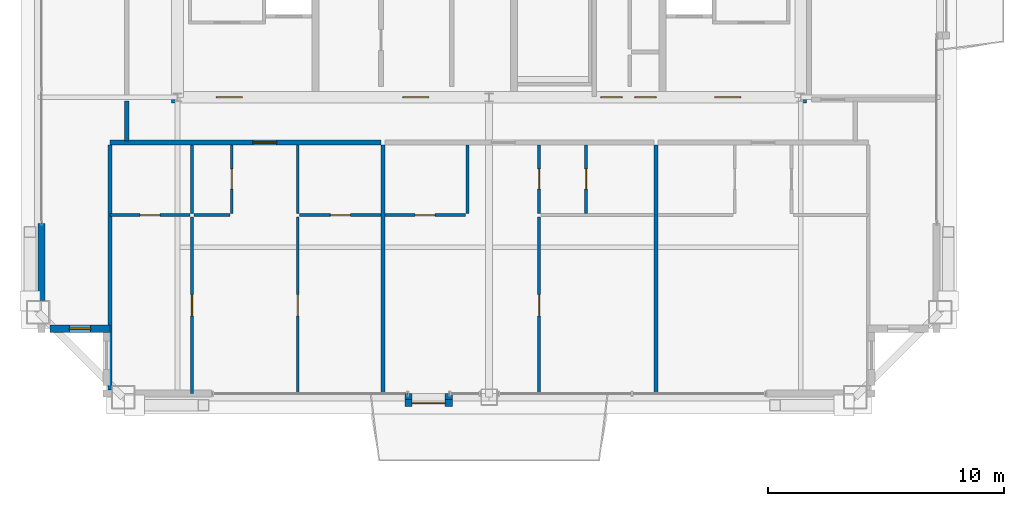
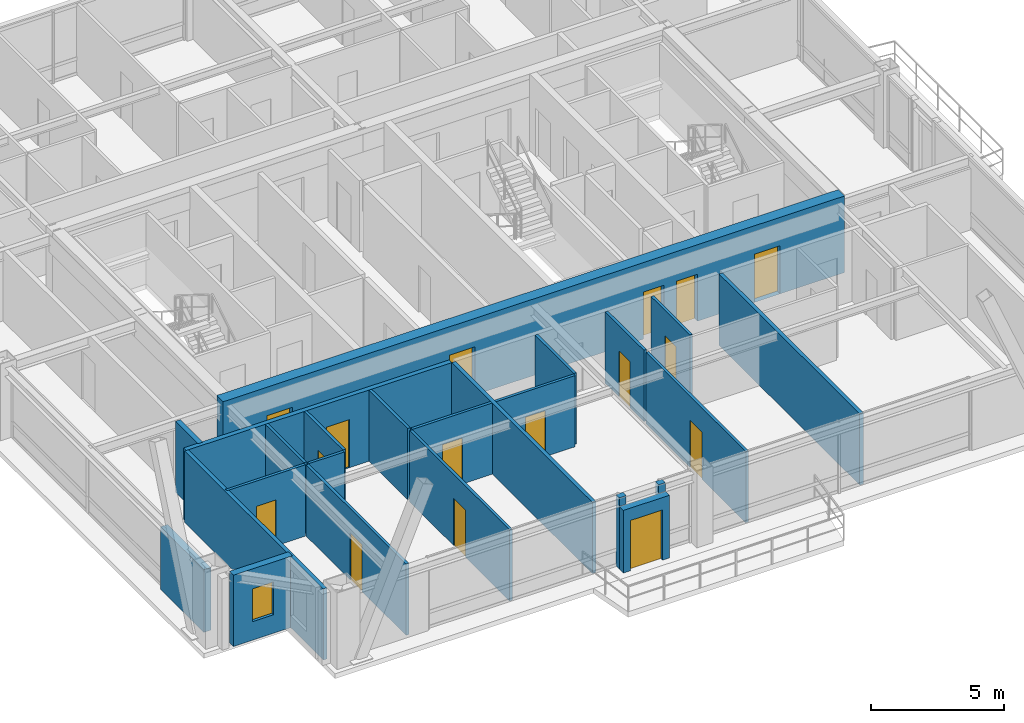
# One storey, part 30 of 35: 24 walls, 16 doors, 1 window, 17 openings.
"""IFC4 building model written with IfcOpenShell, lengths in metres."""

from ifc_helpers import new_model, si_unit, direction, frame, frame_2d, origin, place, context, subcontext, project, spatial, rectangle, extrude, source, transform, mapped, material, layer, layer_set, type_object, element, fill, save


model = new_model("IFC4")

# Units and contexts
model_context = context("Model", 3, precision=1e-05, world=origin(), true_north=direction((0.0, 1.0)))
body_context = subcontext(model_context, "Body", "Model", "MODEL_VIEW")
ifc_project = project(units=[si_unit("LENGTHUNIT", "METRE"), si_unit("AREAUNIT", "SQUARE_METRE"), si_unit("VOLUMEUNIT", "CUBIC_METRE"), si_unit("PLANEANGLEUNIT", "RADIAN"), si_unit("MASSUNIT", "GRAM", prefix="KILO"), si_unit("THERMODYNAMICTEMPERATUREUNIT", "KELVIN"), si_unit("POWERUNIT", "WATT")], contexts=[model_context])

# Site, building, storey
site_placement = place(None, origin())
site = spatial("IfcSite", under=ifc_project, at=site_placement, CompositionType="ELEMENT")
building_placement = place(site_placement, origin())
building = spatial("IfcBuilding", under=site, at=building_placement, Name="Yuzanri Waterfront Tower", CompositionType="ELEMENT")
storey_placement = place(building_placement, frame((0.0, 0.0, 335.699951171875)))
storey = spatial("IfcBuildingStorey", under=building, at=storey_placement, Name="L90", CompositionType="ELEMENT", Elevation=335.699951171875)

# Wall, opening, door
ifc_material_1 = material(Name="Moisture-Resistant Gypsum Stud Wall", Category="gypsum")
ifc_layer_1 = layer(ifc_material_1, 0.1201171875)
ifc_layer_set_1 = layer_set([ifc_layer_1], Name="Moisture-Resistant Gypsum Stud Wall")
wall_type_1 = type_object("IfcWallType", Name="Bathroom and Kitchen Wet Partition 120", PredefinedType="PARTITIONING", material=ifc_layer_set_1)
wall_1_placement = place(storey_placement, frame((20.93994140625, 14.409912109375, 0.0), z_axis=(0.0, 0.0, 1.0), x_axis=(1.0, 0.0, 0.0)))
wall_1 = element("IfcWall", 1, at=wall_1_placement, inside=storey, type_object=wall_type_1, Name="L90 Partition UW-L90-HS1-SUB-1-S", PredefinedType="PARTITIONING", context=body_context, shape_type="SweptSolid", body=[
    extrude(rectangle(XDim=3.400146484375, YDim=0.1201171875, at=frame_2d((1.7001953125, 0.0))), origin(), (0.0, 0.0, 1.0), 3.260009765625),
])
opening_1_placement = place(wall_1_placement, frame((1.27490234375, 0.0, 0.0)))
opening_1 = element("IfcOpeningElement", 2, at=opening_1_placement, cuts=wall_1, Name="Opening ID-0850", PredefinedType="OPENING", context=body_context, shape_type="SweptSolid", body=[
    extrude(rectangle(XDim=0.85009765625, YDim=2.10009765625, at=frame_2d((0.425048828125, 1.050048828125))), frame((0.0, 0.074951171875, 0.0), z_axis=(0.0, -1.0, 0.0), x_axis=(1.0, 0.0, 0.0)), (0.0, 0.0, 1.0), 0.14990234375),
])
ifc_material_2 = material(Name="Moisture-Resistant Lacquered Timber", Category="wood")
door_type_1 = type_object("IfcDoorType", Name="En-Suite Bathroom and Kitchen Swing Door 850x2100", OperationType="NOTDEFINED", PredefinedType="DOOR", material=ifc_material_2)
shared_shape_1 = source(origin(), body_context, "Body", "SweptSolid", [
    extrude(rectangle(XDim=0.85009765625, YDim=2.10009765625, at=frame_2d((0.425048828125, 1.050048828125))), frame((0.0, 0.02490234375, 0.0), z_axis=(0.0, -1.0, 0.0), x_axis=(1.0, 0.0, 0.0)), (0.0, 0.0, 1.0), 0.050048828125),
])
door_1_placement = place(opening_1_placement, origin())
door_1 = element("IfcDoor", 3, at=door_1_placement, inside=storey, type_object=door_type_1, Name="L90 Suite Interior Room Door", OperationType="SINGLE_SWING_LEFT", OverallHeight=2.10009765625, OverallWidth=0.85009765625, PredefinedType="DOOR", context=body_context, shape_type="MappedRepresentation", body=[
    mapped(shared_shape_1, transform((0.0, 0.0, 0.0), scale=1.0)),
])
fill(opening_1, door_1)

wall_2_placement = place(storey_placement, frame((26.10302734375, 14.489990234375, 0.0), z_axis=(0.0, 0.0, 1.0), x_axis=(0.0, 1.0, 0.0)))
wall_2 = element("IfcWall", 4, at=wall_2_placement, inside=storey, type_object=wall_type_1, Name="L90 Partition UW-L90-HS1-SUB-2-E", PredefinedType="PARTITIONING", context=body_context, shape_type="SweptSolid", body=[
    extrude(rectangle(XDim=2.89990234375, YDim=0.1201171875, at=frame_2d((1.449951171875, 0.0))), origin(), (0.0, 0.0, 1.0), 3.260009765625),
])
opening_2_placement = place(wall_2_placement, frame((1.02490234375, 0.0, 0.0)))
opening_2 = element("IfcOpeningElement", 5, at=opening_2_placement, cuts=wall_2, Name="Opening ID-0850", PredefinedType="OPENING", context=body_context, shape_type="SweptSolid", body=[
    extrude(rectangle(XDim=0.85009765625, YDim=2.10009765625, at=frame_2d((0.425048828125, 1.050048828125))), frame((0.0, 0.074951171875, 0.0), z_axis=(0.0, -1.0, 0.0), x_axis=(1.0, 0.0, 0.0)), (0.0, 0.0, 1.0), 0.14990234375),
])
door_2_placement = place(opening_2_placement, origin())
door_2 = element("IfcDoor", 6, at=door_2_placement, inside=storey, type_object=door_type_1, Name="L90 Suite Interior Room Door", OperationType="SINGLE_SWING_RIGHT", OverallHeight=2.10009765625, OverallWidth=0.85009765625, PredefinedType="DOOR", context=body_context, shape_type="MappedRepresentation", body=[
    mapped(shared_shape_1, transform((0.0, 0.0, 0.0), scale=1.0)),
])
fill(opening_2, door_2)

wall_3_placement = place(storey_placement, frame((28.97802734375, 14.409912109375, 0.0), z_axis=(0.0, 0.0, 1.0), x_axis=(1.0, 0.0, 0.0)))
wall_3 = element("IfcWall", 7, at=wall_3_placement, inside=storey, type_object=wall_type_1, Name="L90 Partition UW-L90-HS1-SUB-3-S", PredefinedType="PARTITIONING", context=body_context, shape_type="SweptSolid", body=[
    extrude(rectangle(XDim=3.445068359375, YDim=0.1201171875, at=frame_2d((1.72265625, 0.0))), origin(), (0.0, 0.0, 1.0), 3.260009765625),
])
opening_3_placement = place(wall_3_placement, frame((1.297607421875, 0.0, 0.0)))
opening_3 = element("IfcOpeningElement", 8, at=opening_3_placement, cuts=wall_3, Name="Opening ID-0850", PredefinedType="OPENING", context=body_context, shape_type="SweptSolid", body=[
    extrude(rectangle(XDim=0.85009765625, YDim=2.10009765625, at=frame_2d((0.425048828125, 1.050048828125))), frame((0.0, 0.074951171875, 0.0), z_axis=(0.0, -1.0, 0.0), x_axis=(1.0, 0.0, 0.0)), (0.0, 0.0, 1.0), 0.14990234375),
])
door_3_placement = place(opening_3_placement, origin())
door_3 = element("IfcDoor", 9, at=door_3_placement, inside=storey, type_object=door_type_1, Name="L90 Suite Interior Room Door", OperationType="SINGLE_SWING_LEFT", OverallHeight=2.10009765625, OverallWidth=0.85009765625, PredefinedType="DOOR", context=body_context, shape_type="MappedRepresentation", body=[
    mapped(shared_shape_1, transform((0.0, 0.0, 0.0), scale=1.0)),
])
fill(opening_3, door_3)

wall_4_placement = place(storey_placement, frame((24.419921875, 6.85009765625, 0.0), z_axis=(0.0, 0.0, 1.0), x_axis=(0.0, 1.0, 0.0)))
wall_4 = element("IfcWall", 10, at=wall_4_placement, inside=storey, type_object=wall_type_1, Name="L90 Partition UW-L90-HS1-SUB-4-E", PredefinedType="PARTITIONING", context=body_context, shape_type="SweptSolid", body=[
    extrude(rectangle(XDim=7.47998046875, YDim=0.1201171875, at=frame_2d((3.739990234375, 0.0))), origin(), (0.0, 0.0, 1.0), 3.260009765625),
])
opening_4_placement = place(wall_4_placement, frame((3.2900390625, 0.0, 0.0)))
opening_4 = element("IfcOpeningElement", 11, at=opening_4_placement, cuts=wall_4, Name="Opening ID-0900", PredefinedType="OPENING", context=body_context, shape_type="SweptSolid", body=[
    extrude(rectangle(XDim=0.89990234375, YDim=2.14990234375, at=frame_2d((0.449951171875, 1.074951171875))), frame((0.0, 0.074951171875, 0.0), z_axis=(0.0, -1.0, 0.0), x_axis=(1.0, 0.0, 0.0)), (0.0, 0.0, 1.0), 0.14990234375),
])
ifc_material_3 = material(Name="Stained Walnut Veneer Timber", Category="wood")
door_type_2 = type_object("IfcDoorType", Name="Bedroom and Study Interior Swing Door 900x2150", OperationType="NOTDEFINED", PredefinedType="DOOR", material=ifc_material_3)
shared_shape_2 = source(origin(), body_context, "Body", "SweptSolid", [
    extrude(rectangle(XDim=0.89990234375, YDim=2.14990234375, at=frame_2d((0.449951171875, 1.074951171875))), frame((0.0, 0.02490234375, 0.0), z_axis=(0.0, -1.0, 0.0), x_axis=(1.0, 0.0, 0.0)), (0.0, 0.0, 1.0), 0.050048828125),
])
door_4_placement = place(opening_4_placement, origin())
door_4 = element("IfcDoor", 12, at=door_4_placement, inside=storey, type_object=door_type_2, Name="L90 Suite Interior Room Door", OperationType="SINGLE_SWING_RIGHT", OverallHeight=2.14990234375, OverallWidth=0.89990234375, PredefinedType="DOOR", context=body_context, shape_type="MappedRepresentation", body=[
    mapped(shared_shape_2, transform((0.0, 0.0, 0.0), scale=1.0)),
])
fill(opening_4, door_4)

wall_5_placement = place(storey_placement, frame((28.89794921875, 6.85009765625, 0.0), z_axis=(0.0, 0.0, 1.0), x_axis=(0.0, 1.0, 0.0)))
wall_5 = element("IfcWall", 13, at=wall_5_placement, inside=storey, type_object=wall_type_1, Name="L90 Partition UW-L90-HS1-SUB-5-W", PredefinedType="PARTITIONING", context=body_context, shape_type="SweptSolid", body=[
    extrude(rectangle(XDim=7.47998046875, YDim=0.1201171875, at=frame_2d((3.739990234375, 0.0))), origin(), (0.0, 0.0, 1.0), 3.260009765625),
])
opening_5_placement = place(wall_5_placement, frame((3.2900390625, 0.0, 0.0)))
opening_5 = element("IfcOpeningElement", 14, at=opening_5_placement, cuts=wall_5, Name="Opening ID-0900", PredefinedType="OPENING", context=body_context, shape_type="SweptSolid", body=[
    extrude(rectangle(XDim=0.89990234375, YDim=2.14990234375, at=frame_2d((0.449951171875, 1.074951171875))), frame((0.0, 0.074951171875, 0.0), z_axis=(0.0, -1.0, 0.0), x_axis=(1.0, 0.0, 0.0)), (0.0, 0.0, 1.0), 0.14990234375),
])
door_5_placement = place(opening_5_placement, origin())
door_5 = element("IfcDoor", 15, at=door_5_placement, inside=storey, type_object=door_type_2, Name="L90 Suite Interior Room Door", OperationType="SINGLE_SWING_LEFT", OverallHeight=2.14990234375, OverallWidth=0.89990234375, PredefinedType="DOOR", context=body_context, shape_type="MappedRepresentation", body=[
    mapped(shared_shape_2, transform((0.0, 0.0, 0.0), scale=1.0)),
])
fill(opening_5, door_5)

wall_6_placement = place(storey_placement, frame((32.5830078125, 14.409912109375, 0.0), z_axis=(0.0, 0.0, 1.0), x_axis=(1.0, 0.0, 0.0)))
wall_6 = element("IfcWall", 16, at=wall_6_placement, inside=storey, type_object=wall_type_1, Name="L90 Partition UW-L90-HS2-SUB-1-S", PredefinedType="PARTITIONING", context=body_context, shape_type="SweptSolid", body=[
    extrude(rectangle(XDim=3.4208984375, YDim=0.1201171875, at=frame_2d((1.71044921875, 0.0))), origin(), (0.0, 0.0, 1.0), 3.260009765625),
])
opening_6_placement = place(wall_6_placement, frame((1.285400390625, 0.0, 0.0)))
opening_6 = element("IfcOpeningElement", 17, at=opening_6_placement, cuts=wall_6, Name="Opening ID-0850", PredefinedType="OPENING", context=body_context, shape_type="SweptSolid", body=[
    extrude(rectangle(XDim=0.85009765625, YDim=2.10009765625, at=frame_2d((0.425048828125, 1.050048828125))), frame((0.0, 0.074951171875, 0.0), z_axis=(0.0, -1.0, 0.0), x_axis=(1.0, 0.0, 0.0)), (0.0, 0.0, 1.0), 0.14990234375),
])
door_6_placement = place(opening_6_placement, origin())
door_6 = element("IfcDoor", 18, at=door_6_placement, inside=storey, type_object=door_type_1, Name="L90 Suite Interior Room Door", OperationType="SINGLE_SWING_LEFT", OverallHeight=2.10009765625, OverallWidth=0.85009765625, PredefinedType="DOOR", context=body_context, shape_type="MappedRepresentation", body=[
    mapped(shared_shape_1, transform((0.0, 0.0, 0.0), scale=1.0)),
])
fill(opening_6, door_6)

wall_7_placement = place(storey_placement, frame((41.10595703125, 14.489990234375, 0.0), z_axis=(0.0, 0.0, 1.0), x_axis=(0.0, 1.0, 0.0)))
wall_7 = element("IfcWall", 19, at=wall_7_placement, inside=storey, type_object=wall_type_1, Name="L90 Partition UW-L90-HS2-SUB-2-W", PredefinedType="PARTITIONING", context=body_context, shape_type="SweptSolid", body=[
    extrude(rectangle(XDim=2.89990234375, YDim=0.1201171875, at=frame_2d((1.449951171875, 0.0))), origin(), (0.0, 0.0, 1.0), 3.260009765625),
])
opening_7_placement = place(wall_7_placement, frame((1.02490234375, 0.0, 0.0)))
opening_7 = element("IfcOpeningElement", 20, at=opening_7_placement, cuts=wall_7, Name="Opening ID-0850", PredefinedType="OPENING", context=body_context, shape_type="SweptSolid", body=[
    extrude(rectangle(XDim=0.85009765625, YDim=2.10009765625, at=frame_2d((0.425048828125, 1.050048828125))), frame((0.0, 0.074951171875, 0.0), z_axis=(0.0, -1.0, 0.0), x_axis=(1.0, 0.0, 0.0)), (0.0, 0.0, 1.0), 0.14990234375),
])
door_7_placement = place(opening_7_placement, origin())
door_7 = element("IfcDoor", 21, at=door_7_placement, inside=storey, type_object=door_type_1, Name="L90 Suite Interior Room Door", OperationType="SINGLE_SWING_RIGHT", OverallHeight=2.10009765625, OverallWidth=0.85009765625, PredefinedType="DOOR", context=body_context, shape_type="MappedRepresentation", body=[
    mapped(shared_shape_1, transform((0.0, 0.0, 0.0), scale=1.0)),
])
fill(opening_7, door_7)

wall_8_placement = place(storey_placement, frame((39.116943359375, 6.85009765625, 0.0), z_axis=(0.0, 0.0, 1.0), x_axis=(0.0, 1.0, 0.0)))
wall_8 = element("IfcWall", 22, at=wall_8_placement, inside=storey, type_object=wall_type_1, Name="L90 Partition UW-L90-HS2-SUB-3-W", PredefinedType="PARTITIONING", context=body_context, shape_type="SweptSolid", body=[
    extrude(rectangle(XDim=7.47998046875, YDim=0.1201171875, at=frame_2d((3.739990234375, 0.0))), origin(), (0.0, 0.0, 1.0), 3.260009765625),
])
opening_8_placement = place(wall_8_placement, frame((3.2900390625, 0.0, 0.0)))
opening_8 = element("IfcOpeningElement", 23, at=opening_8_placement, cuts=wall_8, Name="Opening ID-0900", PredefinedType="OPENING", context=body_context, shape_type="SweptSolid", body=[
    extrude(rectangle(XDim=0.89990234375, YDim=2.14990234375, at=frame_2d((0.449951171875, 1.074951171875))), frame((0.0, 0.074951171875, 0.0), z_axis=(0.0, -1.0, 0.0), x_axis=(1.0, 0.0, 0.0)), (0.0, 0.0, 1.0), 0.14990234375),
])
door_8_placement = place(opening_8_placement, origin())
door_8 = element("IfcDoor", 24, at=door_8_placement, inside=storey, type_object=door_type_2, Name="L90 Suite Interior Room Door", OperationType="SINGLE_SWING_LEFT", OverallHeight=2.14990234375, OverallWidth=0.89990234375, PredefinedType="DOOR", context=body_context, shape_type="MappedRepresentation", body=[
    mapped(shared_shape_2, transform((0.0, 0.0, 0.0), scale=1.0)),
])
fill(opening_8, door_8)

wall_9_placement = place(storey_placement, frame((39.116943359375, 14.489990234375, 0.0), z_axis=(0.0, 0.0, 1.0), x_axis=(0.0, 1.0, 0.0)))
wall_9 = element("IfcWall", 25, at=wall_9_placement, inside=storey, type_object=wall_type_1, Name="L90 Partition UW-L90-HS2-SUB-4-W", PredefinedType="PARTITIONING", context=body_context, shape_type="SweptSolid", body=[
    extrude(rectangle(XDim=2.89990234375, YDim=0.1201171875, at=frame_2d((1.449951171875, 0.0))), origin(), (0.0, 0.0, 1.0), 3.260009765625),
])
opening_9_placement = place(wall_9_placement, frame((1.02490234375, 0.0, 0.0)))
opening_9 = element("IfcOpeningElement", 26, at=opening_9_placement, cuts=wall_9, Name="Opening ID-0850", PredefinedType="OPENING", context=body_context, shape_type="SweptSolid", body=[
    extrude(rectangle(XDim=0.85009765625, YDim=2.10009765625, at=frame_2d((0.425048828125, 1.050048828125))), frame((0.0, 0.074951171875, 0.0), z_axis=(0.0, -1.0, 0.0), x_axis=(1.0, 0.0, 0.0)), (0.0, 0.0, 1.0), 0.14990234375),
])
door_9_placement = place(opening_9_placement, origin())
door_9 = element("IfcDoor", 27, at=door_9_placement, inside=storey, type_object=door_type_1, Name="L90 Suite Interior Room Door", OperationType="SINGLE_SWING_RIGHT", OverallHeight=2.10009765625, OverallWidth=0.85009765625, PredefinedType="DOOR", context=body_context, shape_type="MappedRepresentation", body=[
    mapped(shared_shape_1, transform((0.0, 0.0, 0.0), scale=1.0)),
])
fill(opening_9, door_9)

# Wall, opening, window
ifc_material_4 = material(Name="Honed Chongqing Dark Basalt Stone", Category="masonry")
ifc_layer_2 = layer(ifc_material_4, 0.300048828125)
ifc_layer_set_2 = layer_set([ifc_layer_2], Name="Honed Chongqing Dark Basalt Stone")
wall_type_2 = type_object("IfcWallType", Name="Bronze Rainscreen Insulated Spandrel Portal Wall 300", PredefinedType="SOLIDWALL", material=ifc_layer_set_2)
wall_10_placement = place(storey_placement, frame((18.39990234375, 9.60009765625, 0.0), z_axis=(0.0, 0.0, 1.0), x_axis=(1.0, 0.0, 0.0)))
wall_10 = element("IfcWall", 28, at=wall_10_placement, inside=storey, type_object=wall_type_2, Name="L90 Notched Corner Masonry Wall SW-X", PredefinedType="SOLIDWALL", context=body_context, shape_type="SweptSolid", body=[
    extrude(rectangle(XDim=2.550048828125, YDim=0.300048828125, at=frame_2d((1.27490234375, 0.0))), origin(), (0.0, 0.0, 1.0), 3.260009765625),
])
opening_10_placement = place(wall_10_placement, frame((0.824951171875, 0.0, 0.85009765625)))
opening_10 = element("IfcOpeningElement", 29, at=opening_10_placement, cuts=wall_10, Name="Opening WN-05", PredefinedType="OPENING", context=body_context, shape_type="SweptSolid", body=[
    extrude(rectangle(XDim=0.89990234375, YDim=1.5, at=frame_2d((0.449951171875, 0.75))), frame((0.0, 0.1650390625, 0.0), z_axis=(0.0, -1.0, 0.0), x_axis=(1.0, 0.0, 0.0)), (0.0, 0.0, 1.0), 0.329833984375),
])
ifc_material_5 = material(Name="Double-Silver Low-E Insulated Glass", Category="glass")
window_type = type_object("IfcWindowType", Name="Anodized Bronze Service and Stairwell Smoke-Vent Window 900x1500", PartitioningType="SINGLE_PANEL", PredefinedType="WINDOW", material=ifc_material_5)
shared_shape_3 = source(origin(), body_context, "Body", "SweptSolid", [
    extrude(rectangle(XDim=0.89990234375, YDim=1.5, at=frame_2d((0.449951171875, 0.75))), frame((0.0, 0.030029296875, 0.0), z_axis=(0.0, -1.0, 0.0), x_axis=(1.0, 0.0, 0.0)), (0.0, 0.0, 1.0), 0.06005859375),
])
window_placement = place(opening_10_placement, origin())
window = element("IfcWindow", 30, at=window_placement, inside=storey, type_object=window_type, Name="L90 Notched Corner Window SW-X", OverallHeight=1.5, OverallWidth=0.89990234375, PartitioningType="SINGLE_PANEL", PredefinedType="WINDOW", context=body_context, shape_type="MappedRepresentation", body=[
    mapped(shared_shape_3, transform((0.0, 0.0, 0.0), scale=1.0)),
])
fill(opening_10, window)

# Wall, opening, door
wall_11_placement = place(storey_placement, frame((33.44189453125, 6.449951171875, 0.0), z_axis=(0.0, 0.0, 1.0), x_axis=(1.0, 0.0, 0.0)))
wall_11 = element("IfcWall", 31, at=wall_11_placement, inside=storey, type_object=wall_type_2, Name="L90 S Terrace Door Portal Wall", PredefinedType="SOLIDWALL", context=body_context, shape_type="SweptSolid", body=[
    extrude(rectangle(XDim=2.0, YDim=0.300048828125, at=frame_2d((1.0, 0.0))), origin(), (0.0, 0.0, 1.0), 2.864990234375),
])
opening_11_placement = place(wall_11_placement, frame((0.300048828125, 0.0, 0.0)))
opening_11 = element("IfcOpeningElement", 32, at=opening_11_placement, cuts=wall_11, Name="Opening TD-1400", PredefinedType="OPENING", context=body_context, shape_type="SweptSolid", body=[
    extrude(rectangle(XDim=1.39990234375, YDim=2.300048828125, at=frame_2d((0.699951171875, 1.14990234375))), frame((0.0, 0.1650390625, 0.0), z_axis=(0.0, -1.0, 0.0), x_axis=(1.0, 0.0, 0.0)), (0.0, 0.0, 1.0), 0.329833984375),
])
ifc_material_6 = material(Name="Anodized Architectural Bronze", Category="metal")
door_type_3 = type_object("IfcDoorType", Name="Anodized Bronze Balcony and Terrace Glazed Double Door 1400x2300", OperationType="NOTDEFINED", PredefinedType="DOOR", material=ifc_material_6)
shared_shape_4 = source(origin(), body_context, "Body", "SweptSolid", [
    extrude(rectangle(XDim=1.39990234375, YDim=2.300048828125, at=frame_2d((0.699951171875, 1.14990234375))), frame((0.0, 0.02490234375, 0.0), z_axis=(0.0, -1.0, 0.0), x_axis=(1.0, 0.0, 0.0)), (0.0, 0.0, 1.0), 0.050048828125),
])
door_10_placement = place(opening_11_placement, origin())
door_10 = element("IfcDoor", 33, at=door_10_placement, inside=storey, type_object=door_type_3, Name="L90 S Terrace Glazed Double Door", OperationType="DOUBLE_DOOR_SINGLE_SWING", OverallHeight=2.300048828125, OverallWidth=1.39990234375, PredefinedType="DOOR", context=body_context, shape_type="MappedRepresentation", body=[
    mapped(shared_shape_4, transform((0.0, 0.0, 0.0), scale=1.0)),
])
fill(opening_11, door_10)

# Wall, openings, doors
ifc_material_7 = material(Name="Concrete C45", Category="concrete")
ifc_layer_3 = layer(ifc_material_7, 0.47998046875)
ifc_layer_set_3 = layer_set([ifc_layer_3], Name="Concrete C45")
wall_type_3 = type_object("IfcWallType", Name="Concrete C45 High-Rise Core Shear Wall 480", PredefinedType="SHEAR", material=ifc_layer_set_3)
wall_12_placement = place(storey_placement, frame((23.56005859375, 19.39990234375, 0.0), z_axis=(0.0, 0.0, 1.0), x_axis=(1.0, 0.0, 0.0)))
wall_12 = element("IfcWall", 34, at=wall_12_placement, inside=storey, type_object=wall_type_3, Name="L90 Core South Shear Wall", PredefinedType="SHEAR", context=body_context, shape_type="SweptSolid", body=[
    extrude(rectangle(XDim=26.8798828125, YDim=0.47998046875, at=frame_2d((13.43994140625, 0.0))), origin(), (0.0, 0.0, 1.0), 3.5),
])
opening_12_placement = place(wall_12_placement, frame((1.889892578125, 0.0, 0.0)))
opening_12 = element("IfcOpeningElement", 35, at=opening_12_placement, cuts=wall_12, Name="Opening FD-1100", PredefinedType="OPENING", context=body_context, shape_type="SweptSolid", body=[
    extrude(rectangle(XDim=1.10009765625, YDim=2.199951171875, at=frame_2d((0.550048828125, 1.10009765625))), frame((0.0, 0.2548828125, 0.0), z_axis=(0.0, -1.0, 0.0), x_axis=(1.0, 0.0, 0.0)), (0.0, 0.0, 1.0), 0.509765625),
])
opening_13_placement = place(wall_12_placement, frame((9.7900390625, 0.0, 0.0)))
opening_13 = element("IfcOpeningElement", 36, at=opening_13_placement, cuts=wall_12, Name="Opening FD-1100", PredefinedType="OPENING", context=body_context, shape_type="SweptSolid", body=[
    extrude(rectangle(XDim=1.10009765625, YDim=2.199951171875, at=frame_2d((0.550048828125, 1.10009765625))), frame((0.0, 0.2548828125, 0.0), z_axis=(0.0, -1.0, 0.0), x_axis=(1.0, 0.0, 0.0)), (0.0, 0.0, 1.0), 0.509765625),
])
opening_14_placement = place(wall_12_placement, frame((22.989990234375, 0.0, 0.0)))
opening_14 = element("IfcOpeningElement", 37, at=opening_14_placement, cuts=wall_12, Name="Opening FD-1100", PredefinedType="OPENING", context=body_context, shape_type="SweptSolid", body=[
    extrude(rectangle(XDim=1.10009765625, YDim=2.199951171875, at=frame_2d((0.550048828125, 1.10009765625))), frame((0.0, 0.2548828125, 0.0), z_axis=(0.0, -1.0, 0.0), x_axis=(1.0, 0.0, 0.0)), (0.0, 0.0, 1.0), 0.509765625),
])
opening_15_placement = place(wall_12_placement, frame((19.610107421875, 0.0, 0.0)))
opening_15 = element("IfcOpeningElement", 38, at=opening_15_placement, cuts=wall_12, Name="Opening FD-0900", PredefinedType="OPENING", context=body_context, shape_type="SweptSolid", body=[
    extrude(rectangle(XDim=0.89990234375, YDim=2.14990234375, at=frame_2d((0.449951171875, 1.074951171875))), frame((0.0, 0.2548828125, 0.0), z_axis=(0.0, -1.0, 0.0), x_axis=(1.0, 0.0, 0.0)), (0.0, 0.0, 1.0), 0.509765625),
])
opening_16_placement = place(wall_12_placement, frame((18.169921875, 0.0, 0.0)))
opening_16 = element("IfcOpeningElement", 39, at=opening_16_placement, cuts=wall_12, Name="Opening FD-0900", PredefinedType="OPENING", context=body_context, shape_type="SweptSolid", body=[
    extrude(rectangle(XDim=0.89990234375, YDim=2.14990234375, at=frame_2d((0.449951171875, 1.074951171875))), frame((0.0, 0.2548828125, 0.0), z_axis=(0.0, -1.0, 0.0), x_axis=(1.0, 0.0, 0.0)), (0.0, 0.0, 1.0), 0.509765625),
])
ifc_material_8 = material(Name="Painted Galvanized Fire Steel", Category="steel")
door_type_4 = type_object("IfcDoorType", Name="Smoke-Proof Stair and Lobby Fire Door 1100x2200", OperationType="NOTDEFINED", PredefinedType="DOOR", material=ifc_material_8)
shared_shape_5 = source(origin(), body_context, "Body", "SweptSolid", [
    extrude(rectangle(XDim=1.10009765625, YDim=2.199951171875, at=frame_2d((0.550048828125, 1.10009765625))), frame((0.0, 0.02490234375, 0.0), z_axis=(0.0, -1.0, 0.0), x_axis=(1.0, 0.0, 0.0)), (0.0, 0.0, 1.0), 0.050048828125),
])
door_11_placement = place(opening_12_placement, origin())
door_11 = element("IfcDoor", 40, at=door_11_placement, inside=storey, type_object=door_type_4, Name="L90 West Firefighting Lobby Door", OperationType="SINGLE_SWING_RIGHT", OverallHeight=2.199951171875, OverallWidth=1.10009765625, PredefinedType="DOOR", context=body_context, shape_type="MappedRepresentation", body=[
    mapped(shared_shape_5, transform((0.0, 0.0, 0.0), scale=1.0)),
])
fill(opening_12, door_11)
door_12_placement = place(opening_13_placement, origin())
door_12 = element("IfcDoor", 41, at=door_12_placement, inside=storey, type_object=door_type_4, Name="L90 Central Lift Lobby South Door", OperationType="SINGLE_SWING_LEFT", OverallHeight=2.199951171875, OverallWidth=1.10009765625, PredefinedType="DOOR", context=body_context, shape_type="MappedRepresentation", body=[
    mapped(shared_shape_5, transform((0.0, 0.0, 0.0), scale=1.0)),
])
fill(opening_13, door_12)
door_13_placement = place(opening_14_placement, origin())
door_13 = element("IfcDoor", 42, at=door_13_placement, inside=storey, type_object=door_type_4, Name="L90 East Firefighting Lobby Door", OperationType="SINGLE_SWING_RIGHT", OverallHeight=2.199951171875, OverallWidth=1.10009765625, PredefinedType="DOOR", context=body_context, shape_type="MappedRepresentation", body=[
    mapped(shared_shape_5, transform((0.0, 0.0, 0.0), scale=1.0)),
])
fill(opening_14, door_13)
ifc_material_9 = material(Name="Painted Galvanized Fire Steel", Category="steel")
door_type_5 = type_object("IfcDoorType", Name="Riser and Service Room Fire Door 900x2150", OperationType="NOTDEFINED", PredefinedType="DOOR", material=ifc_material_9)
shared_shape_6 = source(origin(), body_context, "Body", "SweptSolid", [
    extrude(rectangle(XDim=0.89990234375, YDim=2.14990234375, at=frame_2d((0.449951171875, 1.074951171875))), frame((0.0, 0.02490234375, 0.0), z_axis=(0.0, -1.0, 0.0), x_axis=(1.0, 0.0, 0.0)), (0.0, 0.0, 1.0), 0.050048828125),
])
door_14_placement = place(opening_15_placement, origin())
door_14 = element("IfcDoor", 43, at=door_14_placement, inside=storey, type_object=door_type_5, Name="L90 East Wet Riser Door", OperationType="SINGLE_SWING_LEFT", OverallHeight=2.14990234375, OverallWidth=0.89990234375, PredefinedType="DOOR", context=body_context, shape_type="MappedRepresentation", body=[
    mapped(shared_shape_6, transform((0.0, 0.0, 0.0), scale=1.0)),
])
fill(opening_15, door_14)
door_15_placement = place(opening_16_placement, origin())
door_15 = element("IfcDoor", 44, at=door_15_placement, inside=storey, type_object=door_type_5, Name="L90 Cleaners Store Room", OperationType="SINGLE_SWING_RIGHT", OverallHeight=2.14990234375, OverallWidth=0.89990234375, PredefinedType="DOOR", context=body_context, shape_type="MappedRepresentation", body=[
    mapped(shared_shape_6, transform((0.0, 0.0, 0.0), scale=1.0)),
])
fill(opening_16, door_15)

# Wall, opening, door
ifc_material_10 = material(Name="Autoclaved Aerated Concrete Blockwork", Category="masonry")
ifc_layer_4 = layer(ifc_material_10, 0.199951171875)
ifc_layer_set_4 = layer_set([ifc_layer_4], Name="Autoclaved Aerated Concrete Blockwork")
wall_type_4 = type_object("IfcWallType", Name="Corridor and Unit Party Fire Wall 200", PredefinedType="PARTITIONING", material=ifc_layer_set_4)
wall_13_placement = place(storey_placement, frame((20.93994140625, 17.489990234375, 0.0), z_axis=(0.0, 0.0, 1.0), x_axis=(1.0, 0.0, 0.0)))
wall_13 = element("IfcWall", 45, at=wall_13_placement, inside=storey, type_object=wall_type_4, Name="L90 Partition UW-L90-HS1-CN", PredefinedType="PARTITIONING", context=body_context, shape_type="SweptSolid", body=[
    extrude(rectangle(XDim=11.483154296875, YDim=0.199951171875, at=frame_2d((5.74169921875, 0.0))), origin(), (0.0, 0.0, 1.0), 3.260009765625),
])
opening_17_placement = place(wall_13_placement, frame((6.06005859375, 0.0, 0.0)))
opening_17 = element("IfcOpeningElement", 46, at=opening_17_placement, cuts=wall_13, Name="Opening FD-1000", PredefinedType="OPENING", context=body_context, shape_type="SweptSolid", body=[
    extrude(rectangle(XDim=1.0, YDim=2.199951171875, at=frame_2d((0.5, 1.10009765625))), frame((0.0, 0.11474609375, 0.0), z_axis=(0.0, -1.0, 0.0), x_axis=(1.0, 0.0, 0.0)), (0.0, 0.0, 1.0), 0.229736328125),
])
ifc_material_11 = material(Name="Engineered Oak Fire-Rated Timber", Category="wood")
door_type_6 = type_object("IfcDoorType", Name="Guestroom and Apartment Entrance Fire Door 1000x2200", OperationType="NOTDEFINED", PredefinedType="DOOR", material=ifc_material_11)
shared_shape_7 = source(origin(), body_context, "Body", "SweptSolid", [
    extrude(rectangle(XDim=1.0, YDim=2.199951171875, at=frame_2d((0.5, 1.10009765625))), frame((0.0, 0.02490234375, 0.0), z_axis=(0.0, -1.0, 0.0), x_axis=(1.0, 0.0, 0.0)), (0.0, 0.0, 1.0), 0.050048828125),
])
door_16_placement = place(opening_17_placement, origin())
door_16 = element("IfcDoor", 47, at=door_16_placement, inside=storey, type_object=door_type_6, Name="L90 Apartment Living and Dining Salon Entrance Door", OperationType="SINGLE_SWING_RIGHT", OverallHeight=2.199951171875, OverallWidth=1.0, PredefinedType="DOOR", context=body_context, shape_type="MappedRepresentation", body=[
    mapped(shared_shape_7, transform((0.0, 0.0, 0.0), scale=1.0)),
])
fill(opening_17, door_16)

# Walls
shared_shape_8 = source(origin(), body_context, "Body", "SweptSolid", [
    extrude(rectangle(XDim=3.25, YDim=0.300048828125, at=frame_2d((1.625, 0.0))), origin(), (0.0, 0.0, 1.0), 2.864990234375),
])
wall_14_placement = place(storey_placement, frame((18.050048828125, 10.800048828125, 0.0), z_axis=(0.0, 0.0, 1.0), x_axis=(0.0, 1.0, 0.0)))
element("IfcWall", 48, at=wall_14_placement, inside=storey, type_object=wall_type_2, Name="L90 W Left Braced Masonry Shoulder", PredefinedType="SOLIDWALL", context=body_context, shape_type="MappedRepresentation", body=[
    mapped(shared_shape_8, transform((0.0, 0.0, 0.0), scale=1.0)),
])
shared_shape_9 = source(origin(), body_context, "Body", "SweptSolid", [
    extrude(rectangle(XDim=0.25, YDim=0.300048828125, at=frame_2d((0.125, 0.0))), origin(), (0.0, 0.0, 1.0), 3.260009765625),
])
for number, where, z_axis, x_axis, name in (
    (49, (33.592041015625, 6.85009765625, 0.0), (0.0, 0.0, 1.0), (0.0, -1.0, 0.0), "L90 S Terrace Portal Left Return"),
    (50, (35.2919921875, 6.60009765625, 0.0), (0.0, 0.0, 1.0), (0.0, 1.0, 0.0), "L90 S Terrace Portal Right Return"),
):
    element("IfcWall", number, at=place(storey_placement, frame(where, z_axis=z_axis, x_axis=x_axis)), inside=storey, type_object=wall_type_2, Name=name, PredefinedType="SOLIDWALL", context=body_context, shape_type="MappedRepresentation", body=[
        mapped(shared_shape_9, transform((0.0, 0.0, 0.0), scale=1.0)),
    ])
shared_shape_10 = source(origin(), body_context, "Body", "SweptSolid", [
    extrude(rectangle(XDim=1.699951171875, YDim=0.199951171875, at=frame_2d((0.85009765625, 0.0))), origin(), (0.0, 0.0, 1.0), 3.260009765625),
])
wall_15_placement = place(storey_placement, frame((21.64990234375, 17.550048828125, 0.0), z_axis=(0.0, 0.0, 1.0), x_axis=(0.0, 1.0, 0.0)))
element("IfcWall", 51, at=wall_15_placement, inside=storey, type_object=wall_type_4, Name="L90 South Foyer West End Wall", PredefinedType="PARTITIONING", context=body_context, shape_type="MappedRepresentation", body=[
    mapped(shared_shape_10, transform((0.0, 0.0, 0.0), scale=1.0)),
])
ifc_material_12 = material(Name="Gypsum Fireboard Acoustic Stud Wall", Category="gypsum")
ifc_layer_5 = layer(ifc_material_12, 0.159912109375)
ifc_layer_set_5 = layer_set([ifc_layer_5], Name="Gypsum Fireboard Acoustic Stud Wall")
wall_type_5 = type_object("IfcWallType", Name="Acoustic Suite Demising Partition 160", PredefinedType="PARTITIONING", material=ifc_layer_set_5)
shared_shape_11 = source(origin(), body_context, "Body", "SweptSolid", [
    extrude(rectangle(XDim=10.539794921875, YDim=0.159912109375, at=frame_2d((5.27001953125, 0.0))), origin(), (0.0, 0.0, 1.0), 3.260009765625),
])
for number, where, z_axis, x_axis, name in (
    (52, (32.5029296875, 6.85009765625, 0.0), (0.0, 0.0, 1.0), (0.0, 1.0, 0.0), "L90-HS1 Party Wall"),
    (53, (44.06591796875, 6.85009765625, 0.0), (0.0, 0.0, 1.0), (0.0, 1.0, 0.0), "L90-HS2 Party Wall"),
):
    element("IfcWall", number, at=place(storey_placement, frame(where, z_axis=z_axis, x_axis=x_axis)), inside=storey, type_object=wall_type_5, Name=name, PredefinedType="PARTITIONING", context=body_context, shape_type="MappedRepresentation", body=[
        mapped(shared_shape_11, transform((0.0, 0.0, 0.0), scale=1.0)),
    ])
shared_shape_12 = source(origin(), body_context, "Body", "SweptSolid", [
    extrude(rectangle(XDim=2.89990234375, YDim=0.1201171875, at=frame_2d((1.449951171875, 0.0))), origin(), (0.0, 0.0, 1.0), 3.260009765625),
])
for number, where, z_axis, x_axis, name in (
    (54, (24.419921875, 14.489990234375, 0.0), (0.0, 0.0, 1.0), (0.0, 1.0, 0.0), "L90 Partition UW-L90-HS1-SUB-1-E"),
    (55, (28.89794921875, 14.489990234375, 0.0), (0.0, 0.0, 1.0), (0.0, 1.0, 0.0), "L90 Partition UW-L90-HS1-SUB-3-W"),
    (56, (36.083984375, 14.489990234375, 0.0), (0.0, 0.0, 1.0), (0.0, 1.0, 0.0), "L90 Partition UW-L90-HS2-SUB-1-E"),
):
    element("IfcWall", number, at=place(storey_placement, frame(where, z_axis=z_axis, x_axis=x_axis)), inside=storey, type_object=wall_type_1, Name=name, PredefinedType="PARTITIONING", context=body_context, shape_type="MappedRepresentation", body=[
        mapped(shared_shape_12, transform((0.0, 0.0, 0.0), scale=1.0)),
    ])
shared_shape_13 = source(origin(), body_context, "Body", "SweptSolid", [
    extrude(rectangle(XDim=1.52294921875, YDim=0.1201171875, at=frame_2d((0.761474609375, 0.0))), origin(), (0.0, 0.0, 1.0), 3.260009765625),
])
wall_16_placement = place(storey_placement, frame((24.5, 14.409912109375, 0.0), z_axis=(0.0, 0.0, 1.0), x_axis=(1.0, 0.0, 0.0)))
element("IfcWall", 57, at=wall_16_placement, inside=storey, type_object=wall_type_1, Name="L90 Partition UW-L90-HS1-SUB-2-S", PredefinedType="PARTITIONING", context=body_context, shape_type="MappedRepresentation", body=[
    mapped(shared_shape_13, transform((0.0, 0.0, 0.0), scale=1.0)),
])
shared_shape_14 = source(origin(), body_context, "Body", "SweptSolid", [
    extrude(rectangle(XDim=10.389892578125, YDim=0.159912109375, at=frame_2d((5.19482421875, 0.0))), origin(), (0.0, 0.0, 1.0), 3.260009765625),
])
wall_17_placement = place(storey_placement, frame((20.949951171875, 7.0, 0.0), z_axis=(0.0, 0.0, 1.0), x_axis=(0.0, 1.0, 0.0)))
element("IfcWall", 58, at=wall_17_placement, inside=storey, type_object=wall_type_5, Name="L90 South Band West End Wall", PredefinedType="PARTITIONING", context=body_context, shape_type="MappedRepresentation", body=[
    mapped(shared_shape_14, transform((0.0, 0.0, 0.0), scale=1.0)),
])

save(model, "model.ifc")
